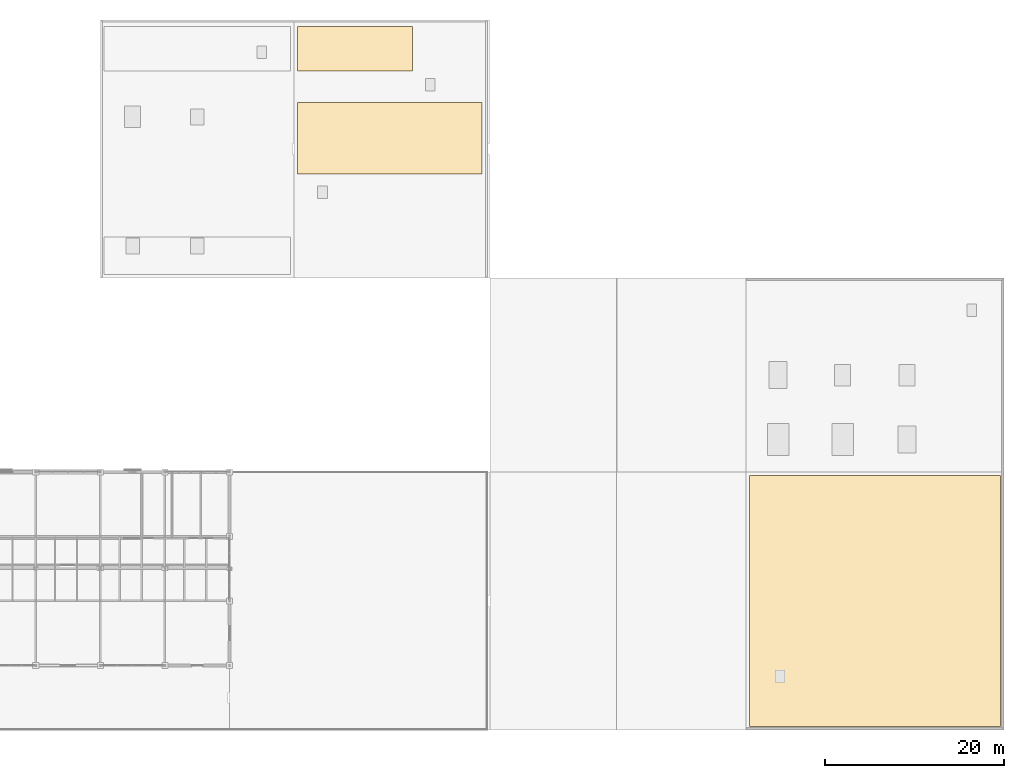
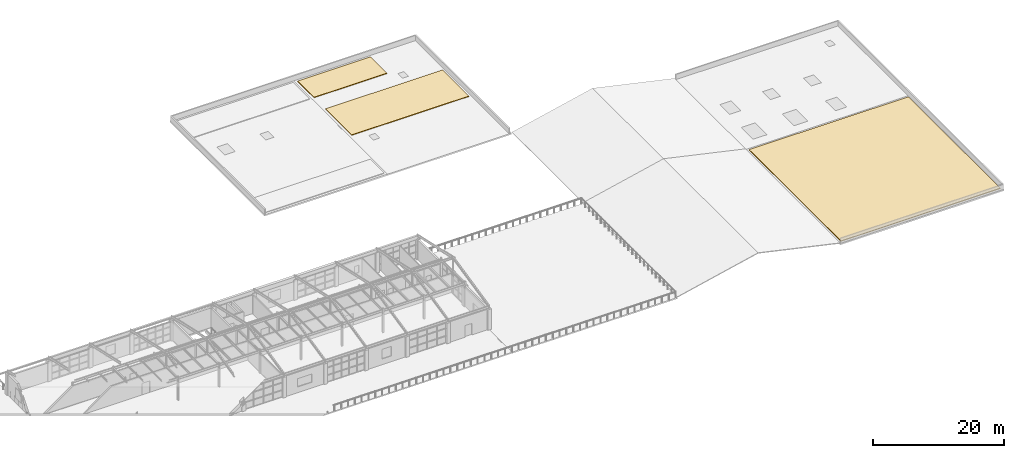
# One storey, part 101 of 101: 3 coverings.
"""IFC4 building model written with IfcOpenShell, lengths in metres."""

from ifc_helpers import new_model, si_unit, direction, frame, origin, place, context, subcontext, project, spatial, polyline, outline, extrude, material, layer, layer_set, type_object, element, save


model = new_model("IFC4")

# Units and contexts
model_context = context("Model", 3, precision=1e-05, world=origin(), true_north=direction((0.0, 1.0)))
body_context = subcontext(model_context, "Body", "Model", "MODEL_VIEW")
ifc_project = project(units=[si_unit("LENGTHUNIT", "METRE"), si_unit("AREAUNIT", "SQUARE_METRE"), si_unit("VOLUMEUNIT", "CUBIC_METRE"), si_unit("PLANEANGLEUNIT", "RADIAN"), si_unit("MASSUNIT", "GRAM", prefix="KILO")], contexts=[model_context])

# Site, building, storey
site_placement = place(None, origin())
site = spatial("IfcSite", under=ifc_project, at=site_placement, CompositionType="ELEMENT")
building_placement = place(site_placement, origin())
building = spatial("IfcBuilding", under=site, at=building_placement, Name="Kemerveld Promenade Tramway Depot", CompositionType="ELEMENT")
storey_placement = place(building_placement, frame((0.0, 0.0, 9.89990234375)))
storey = spatial("IfcBuildingStorey", under=building, at=storey_placement, Name="L02", CompositionType="ELEMENT", Elevation=9.89990234375)

# Coverings
ifc_material = material(Name="Planted highland substrate and drainage layer")
ifc_layer = layer(ifc_material, 0.1201171875)
ifc_layer_set = layer_set([ifc_layer], Name="COV-ROOF-GREEN")
covering_type = type_object("IfcCoveringType", Name="COV-ROOF-GREEN", PredefinedType="ROOFING", material=ifc_layer_set)
covering_1_placement = place(storey_placement, origin())
element("IfcCovering", 1, at=covering_1_placement, inside=storey, type_object=covering_type, Name="COV-GR-V2SE", PredefinedType="ROOFING", context=body_context, shape_type="SweptSolid", body=[
    extrude(outline(polyline([(187.60009765625, 0.39990234375), (215.60009765625, 0.39990234375), (215.60009765625, 28.39990234375), (187.60009765625, 28.39990234375), (187.60009765625, 0.39990234375)])), origin(), (0.0, 0.0, 1.0), 0.1201171875),
])
covering_2_placement = place(storey_placement, origin())
element("IfcCovering", 2, at=covering_2_placement, inside=storey, type_object=covering_type, Name="COV-GR-V3B", PredefinedType="ROOFING", context=body_context, shape_type="SweptSolid", body=[
    extrude(outline(polyline([(137.199951171875, 62.0), (157.800048828125, 62.0), (157.800048828125, 70.0), (137.199951171875, 70.0), (137.199951171875, 62.0)])), origin(), (0.0, 0.0, 1.0), 0.1201171875),
])
covering_3_placement = place(storey_placement, origin())
element("IfcCovering", 3, at=covering_3_placement, inside=storey, type_object=covering_type, Name="COV-GR-V3C", PredefinedType="ROOFING", context=body_context, shape_type="SweptSolid", body=[
    extrude(outline(polyline([(137.199951171875, 73.5), (150.0, 73.5), (150.0, 78.5), (137.199951171875, 78.5), (137.199951171875, 73.5)])), origin(), (0.0, 0.0, 1.0), 0.1201171875),
])

save(model, "model.ifc")
